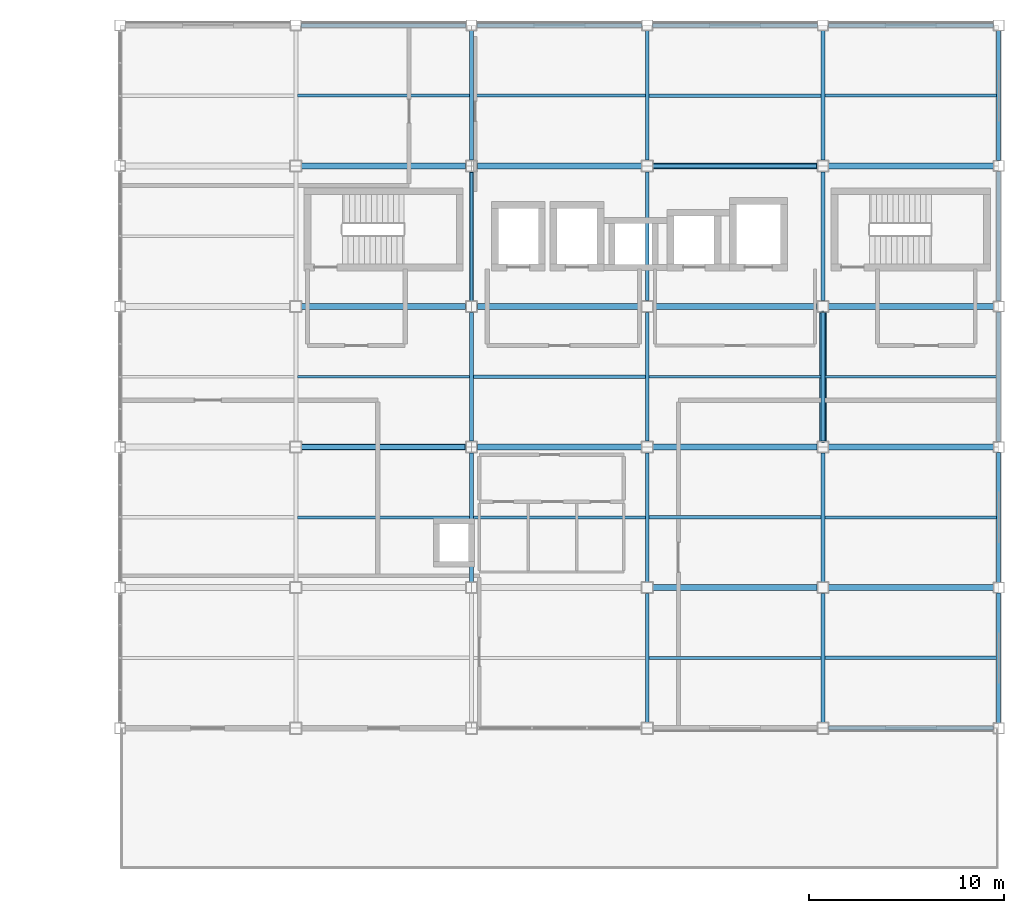
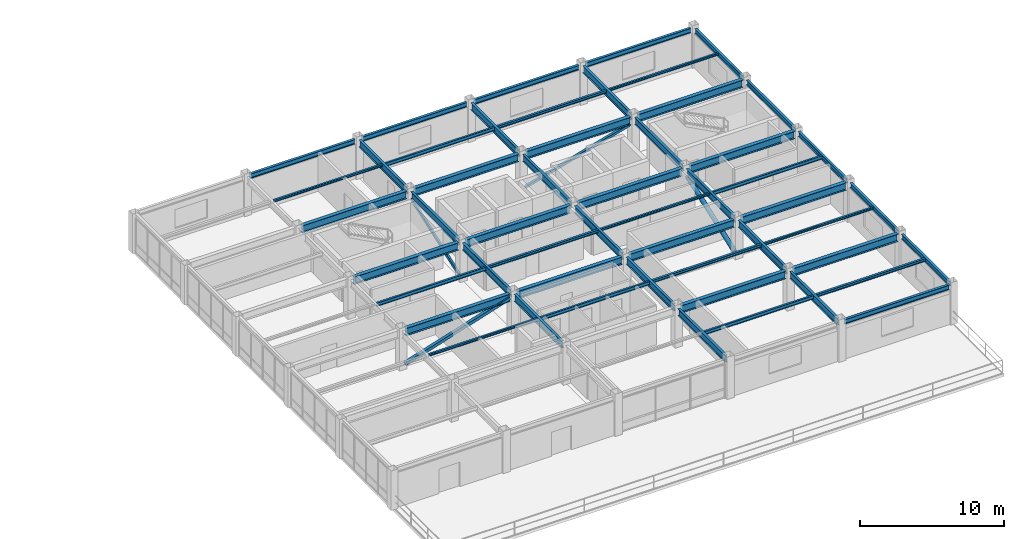
# One storey, part 31 of 43: 52 beams, 4 members.
"""IFC4 building model written with IfcOpenShell, lengths in metres."""

from ifc_helpers import new_model, si_unit, direction, frame, origin, origin_2d, place, context, subcontext, project, spatial, hollow_rectangle, hollow_circle, i_section, extrude, material, material_profile, profile_set, type_object, element, save


model = new_model("IFC4")

# Units and contexts
model_context = context("Model", 3, precision=1e-05, world=origin(), true_north=direction((0.0, 1.0)))
body_context = subcontext(model_context, "Body", "Model", "MODEL_VIEW")
ifc_project = project(units=[si_unit("LENGTHUNIT", "METRE"), si_unit("AREAUNIT", "SQUARE_METRE"), si_unit("VOLUMEUNIT", "CUBIC_METRE"), si_unit("PLANEANGLEUNIT", "RADIAN"), si_unit("MASSUNIT", "GRAM", prefix="KILO")], contexts=[model_context])

# Site, building, storey
site_placement = place(None, origin())
site = spatial("IfcSite", under=ifc_project, at=site_placement, CompositionType="ELEMENT")
building_placement = place(site_placement, origin())
building = spatial("IfcBuilding", under=site, at=building_placement, Name="Kazanami Central Library", CompositionType="ELEMENT")
storey_placement = place(building_placement, frame((0.0, 0.0, 20.60009765625)))
storey = spatial("IfcBuildingStorey", under=building, at=storey_placement, Name="L06", CompositionType="ELEMENT", Elevation=20.60009765625)

# Beams
ifc_material_1 = material(Name="Steel SN400B (235 MPa)", Category="steel")
ifc_material_profile_1 = material_profile(ifc_material_1, i_section(OverallWidth=0.14990234375, OverallDepth=0.300048828125, WebThickness=0.006591796875, FlangeThickness=0.009033203125, at=origin_2d()), Name="H-300x150x6.5x9")
ifc_profile_set_1 = profile_set([ifc_material_profile_1], Name="Steel SN400B (235 MPa)")
beam_type_1 = type_object("IfcBeamType", Name="BM-B-S4", PredefinedType="JOIST", material=ifc_profile_set_1)
for number, where, z_axis, x_axis, name in (
    (1, (126.097900390625, 75.60009765625, 3.169921875), (1.0, 0.0, 0.0), (0.0, 1.0, 0.0), "Composite Secondary Joist B-S4 L06 Bay 15/L.1"),
    (2, (135.097900390625, 68.39990234375, 3.169921875), (1.0, 0.0, 0.0), (0.0, 1.0, 0.0), "Composite Secondary Joist B-S4 L06 Bay 16/K.1"),
    (3, (135.097900390625, 90.0, 3.169921875), (1.0, 0.0, 0.0), (0.0, 1.0, 0.0), "Composite Secondary Joist B-S4 L06 Bay 16/N.1"),
    (4, (144.097900390625, 61.199951171875, 3.169921875), (1.0, 0.0, 0.0), (0.0, 1.0, 0.0), "Composite Secondary Joist B-S4 L06 Bay 17/J.1"),
    (5, (153.097900390625, 75.60009765625, 3.169921875), (1.0, 0.0, 0.0), (0.0, 1.0, 0.0), "Composite Secondary Joist B-S4 L06 Bay 18/L.1"),
):
    element("IfcBeam", number, at=place(storey_placement, frame(where, z_axis=z_axis, x_axis=x_axis)), inside=storey, type_object=beam_type_1, Name=name, PredefinedType="JOIST", context=body_context, shape_type="SweptSolid", body=[
        extrude(i_section(OverallWidth=0.14990234375, OverallDepth=0.300048828125, WebThickness=0.006591796875, FlangeThickness=0.009033203125, at=origin_2d()), origin(), (0.0, 0.0, 1.0), 8.80419921875),
    ])
ifc_material_profile_2 = material_profile(ifc_material_1, i_section(OverallWidth=0.175048828125, OverallDepth=0.243896484375, WebThickness=0.007080078125, FlangeThickness=0.010986328125, at=origin_2d()), Name="H-244x175x7x11")
ifc_profile_set_2 = profile_set([ifc_material_profile_2], Name="Steel SN400B (235 MPa)")
beam_type_2 = type_object("IfcBeamType", Name="BM-B-S6", PredefinedType="JOIST", material=ifc_profile_set_2)
for number, where, z_axis, x_axis, name in (
    (6, (135.097900390625, 75.60009765625, 3.197998046875), (1.0, 0.0, 0.0), (0.0, 1.0, 0.0), "Composite Secondary Joist B-S6 L06 Bay 16/L.1"),
    (7, (144.097900390625, 68.39990234375, 3.197998046875), (1.0, 0.0, 0.0), (0.0, 1.0, 0.0), "Composite Secondary Joist B-S6 L06 Bay 17/K.1"),
    (8, (144.097900390625, 90.0, 3.197998046875), (1.0, 0.0, 0.0), (0.0, 1.0, 0.0), "Composite Secondary Joist B-S6 L06 Bay 17/N.1"),
    (9, (153.097900390625, 61.199951171875, 3.197998046875), (1.0, 0.0, 0.0), (0.0, 1.0, 0.0), "Composite Secondary Joist B-S6 L06 Bay 18/J.1"),
):
    element("IfcBeam", number, at=place(storey_placement, frame(where, z_axis=z_axis, x_axis=x_axis)), inside=storey, type_object=beam_type_2, Name=name, PredefinedType="JOIST", context=body_context, shape_type="SweptSolid", body=[
        extrude(i_section(OverallWidth=0.175048828125, OverallDepth=0.243896484375, WebThickness=0.007080078125, FlangeThickness=0.010986328125, at=origin_2d()), origin(), (0.0, 0.0, 1.0), 8.80419921875),
    ])
ifc_material_profile_3 = material_profile(ifc_material_1, i_section(OverallWidth=0.14990234375, OverallDepth=0.194091796875, WebThickness=0.006103515625, FlangeThickness=0.009033203125, at=origin_2d()), Name="H-194x150x6x9")
ifc_profile_set_3 = profile_set([ifc_material_profile_3], Name="Steel SN400B (235 MPa)")
beam_type_3 = type_object("IfcBeamType", Name="BM-B-S7", PredefinedType="JOIST", material=ifc_profile_set_3)
for number, where, z_axis, x_axis, name in (
    (10, (126.097900390625, 68.39990234375, 3.222900390625), (1.0, 0.0, 0.0), (0.0, 1.0, 0.0), "Composite Secondary Joist B-S7 L06 Bay 15/K.1"),
    (11, (126.097900390625, 90.0, 3.222900390625), (1.0, 0.0, 0.0), (0.0, 1.0, 0.0), "Composite Secondary Joist B-S7 L06 Bay 15/N.1"),
    (12, (144.097900390625, 75.60009765625, 3.222900390625), (1.0, 0.0, 0.0), (0.0, 1.0, 0.0), "Composite Secondary Joist B-S7 L06 Bay 17/L.1"),
    (13, (153.097900390625, 68.39990234375, 3.222900390625), (1.0, 0.0, 0.0), (0.0, 1.0, 0.0), "Composite Secondary Joist B-S7 L06 Bay 18/K.1"),
    (14, (153.097900390625, 90.0, 3.222900390625), (1.0, 0.0, 0.0), (0.0, 1.0, 0.0), "Composite Secondary Joist B-S7 L06 Bay 18/N.1"),
):
    element("IfcBeam", number, at=place(storey_placement, frame(where, z_axis=z_axis, x_axis=x_axis)), inside=storey, type_object=beam_type_3, Name=name, PredefinedType="JOIST", context=body_context, shape_type="SweptSolid", body=[
        extrude(i_section(OverallWidth=0.14990234375, OverallDepth=0.194091796875, WebThickness=0.006103515625, FlangeThickness=0.009033203125, at=origin_2d()), origin(), (0.0, 0.0, 1.0), 8.80419921875),
    ])
ifc_material_2 = material(Name="Steel SN490B (325 MPa)", Category="steel")
ifc_material_profile_4 = material_profile(ifc_material_2, i_section(OverallWidth=0.300048828125, OverallDepth=0.64990234375, WebThickness=0.012939453125, FlangeThickness=0.02099609375, at=origin_2d()), Name="H-650x300x13x21")
ifc_profile_set_4 = profile_set([ifc_material_profile_4], Name="Steel SN490B (325 MPa)")
beam_type_4 = type_object("IfcBeamType", Name="BM-G-TR", PredefinedType="BEAM", material=ifc_profile_set_4)
beam_1_placement = place(storey_placement, frame((144.298095703125, 64.800048828125, 2.994873046875), z_axis=(1.0, 0.0, 0.0), x_axis=(0.0, 1.0, 0.0)))
element("IfcBeam", 15, at=beam_1_placement, inside=storey, type_object=beam_type_4, Name="Girder G-TR L06 K/17-18", PredefinedType="BEAM", context=body_context, shape_type="SweptSolid", body=[
    extrude(i_section(OverallWidth=0.300048828125, OverallDepth=0.64990234375, WebThickness=0.012939453125, FlangeThickness=0.02099609375, at=origin_2d()), origin(), (0.0, 0.0, 1.0), 8.40380859375),
])
beam_2_placement = place(storey_placement, frame((153.298095703125, 64.800048828125, 2.994873046875), z_axis=(1.0, 0.0, 0.0), x_axis=(0.0, 1.0, 0.0)))
element("IfcBeam", 16, at=beam_2_placement, inside=storey, type_object=beam_type_4, Name="Girder G-TR L06 K/18-19", PredefinedType="BEAM", context=body_context, shape_type="SweptSolid", body=[
    extrude(i_section(OverallWidth=0.300048828125, OverallDepth=0.64990234375, WebThickness=0.012939453125, FlangeThickness=0.02099609375, at=origin_2d()), origin(), (0.0, 0.0, 1.0), 8.428955078125),
])
for number, where, z_axis, x_axis, name in (
    (17, (126.298095703125, 72.0, 2.994873046875), (1.0, 0.0, 0.0), (0.0, 1.0, 0.0), "Girder G-TR L06 L/15-16"),
    (18, (135.298095703125, 72.0, 2.994873046875), (1.0, 0.0, 0.0), (0.0, 1.0, 0.0), "Girder G-TR L06 L/16-17"),
    (19, (144.298095703125, 72.0, 2.994873046875), (1.0, 0.0, 0.0), (0.0, 1.0, 0.0), "Girder G-TR L06 L/17-18"),
):
    element("IfcBeam", number, at=place(storey_placement, frame(where, z_axis=z_axis, x_axis=x_axis)), inside=storey, type_object=beam_type_4, Name=name, PredefinedType="BEAM", context=body_context, shape_type="SweptSolid", body=[
        extrude(i_section(OverallWidth=0.300048828125, OverallDepth=0.64990234375, WebThickness=0.012939453125, FlangeThickness=0.02099609375, at=origin_2d()), origin(), (0.0, 0.0, 1.0), 8.40380859375),
    ])
beam_3_placement = place(storey_placement, frame((153.298095703125, 72.0, 2.994873046875), z_axis=(1.0, 0.0, 0.0), x_axis=(0.0, 1.0, 0.0)))
element("IfcBeam", 20, at=beam_3_placement, inside=storey, type_object=beam_type_4, Name="Girder G-TR L06 L/18-19", PredefinedType="BEAM", context=body_context, shape_type="SweptSolid", body=[
    extrude(i_section(OverallWidth=0.300048828125, OverallDepth=0.64990234375, WebThickness=0.012939453125, FlangeThickness=0.02099609375, at=origin_2d()), origin(), (0.0, 0.0, 1.0), 8.428955078125),
])
for number, where, z_axis, x_axis, name in (
    (21, (126.298095703125, 79.199951171875, 2.994873046875), (1.0, 0.0, 0.0), (0.0, 1.0, 0.0), "Girder G-TR L06 M/15-16"),
    (22, (135.298095703125, 79.199951171875, 2.994873046875), (1.0, 0.0, 0.0), (0.0, 1.0, 0.0), "Girder G-TR L06 M/16-17"),
    (23, (144.298095703125, 79.199951171875, 2.994873046875), (1.0, 0.0, 0.0), (0.0, 1.0, 0.0), "Girder G-TR L06 M/17-18"),
):
    element("IfcBeam", number, at=place(storey_placement, frame(where, z_axis=z_axis, x_axis=x_axis)), inside=storey, type_object=beam_type_4, Name=name, PredefinedType="BEAM", context=body_context, shape_type="SweptSolid", body=[
        extrude(i_section(OverallWidth=0.300048828125, OverallDepth=0.64990234375, WebThickness=0.012939453125, FlangeThickness=0.02099609375, at=origin_2d()), origin(), (0.0, 0.0, 1.0), 8.40380859375),
    ])
beam_4_placement = place(storey_placement, frame((153.298095703125, 79.199951171875, 2.994873046875), z_axis=(1.0, 0.0, 0.0), x_axis=(0.0, 1.0, 0.0)))
element("IfcBeam", 24, at=beam_4_placement, inside=storey, type_object=beam_type_4, Name="Girder G-TR L06 M/18-19", PredefinedType="BEAM", context=body_context, shape_type="SweptSolid", body=[
    extrude(i_section(OverallWidth=0.300048828125, OverallDepth=0.64990234375, WebThickness=0.012939453125, FlangeThickness=0.02099609375, at=origin_2d()), origin(), (0.0, 0.0, 1.0), 8.428955078125),
])
for number, where, z_axis, x_axis, name in (
    (25, (126.298095703125, 86.39990234375, 2.994873046875), (1.0, 0.0, 0.0), (0.0, 1.0, 0.0), "Girder G-TR L06 N/15-16"),
    (26, (135.298095703125, 86.39990234375, 2.994873046875), (1.0, 0.0, 0.0), (0.0, 1.0, 0.0), "Girder G-TR L06 N/16-17"),
    (27, (144.298095703125, 86.39990234375, 2.994873046875), (1.0, 0.0, 0.0), (0.0, 1.0, 0.0), "Girder G-TR L06 N/17-18"),
):
    element("IfcBeam", number, at=place(storey_placement, frame(where, z_axis=z_axis, x_axis=x_axis)), inside=storey, type_object=beam_type_4, Name=name, PredefinedType="BEAM", context=body_context, shape_type="SweptSolid", body=[
        extrude(i_section(OverallWidth=0.300048828125, OverallDepth=0.64990234375, WebThickness=0.012939453125, FlangeThickness=0.02099609375, at=origin_2d()), origin(), (0.0, 0.0, 1.0), 8.40380859375),
    ])
beam_5_placement = place(storey_placement, frame((153.298095703125, 86.39990234375, 2.994873046875), z_axis=(1.0, 0.0, 0.0), x_axis=(0.0, 1.0, 0.0)))
element("IfcBeam", 28, at=beam_5_placement, inside=storey, type_object=beam_type_4, Name="Girder G-TR L06 N/18-19", PredefinedType="BEAM", context=body_context, shape_type="SweptSolid", body=[
    extrude(i_section(OverallWidth=0.300048828125, OverallDepth=0.64990234375, WebThickness=0.012939453125, FlangeThickness=0.02099609375, at=origin_2d()), origin(), (0.0, 0.0, 1.0), 8.428955078125),
])
ifc_material_profile_5 = material_profile(ifc_material_2, i_section(OverallWidth=0.199951171875, OverallDepth=0.60009765625, WebThickness=0.010986328125, FlangeThickness=0.01708984375, at=origin_2d()), Name="H-600x200x11x17")
ifc_profile_set_5 = profile_set([ifc_material_profile_5], Name="Steel SN490B (325 MPa)")
beam_type_5 = type_object("IfcBeamType", Name="BM-G-Y1", PredefinedType="BEAM", material=ifc_profile_set_5)
for number, where, z_axis, x_axis, name in (
    (29, (135.0, 65.097900390625, 3.02001953125), (0.0, 1.0, 0.0), (-1.0, 0.0, 0.0), "Girder G-Y1 L06 16/K-L"),
    (30, (135.0, 72.298095703125, 3.02001953125), (0.0, 1.0, 0.0), (-1.0, 0.0, 0.0), "Girder G-Y1 L06 16/L-M"),
    (31, (135.0, 79.498046875, 3.02001953125), (0.0, 1.0, 0.0), (-1.0, 0.0, 0.0), "Girder G-Y1 L06 16/M-N"),
):
    element("IfcBeam", number, at=place(storey_placement, frame(where, z_axis=z_axis, x_axis=x_axis)), inside=storey, type_object=beam_type_5, Name=name, PredefinedType="BEAM", context=body_context, shape_type="SweptSolid", body=[
        extrude(i_section(OverallWidth=0.199951171875, OverallDepth=0.60009765625, WebThickness=0.010986328125, FlangeThickness=0.01708984375, at=origin_2d()), origin(), (0.0, 0.0, 1.0), 6.60400390625),
    ])
beam_6_placement = place(storey_placement, frame((135.0, 86.697998046875, 3.02001953125), z_axis=(0.0, 1.0, 0.0), x_axis=(-1.0, 0.0, 0.0)))
element("IfcBeam", 32, at=beam_6_placement, inside=storey, type_object=beam_type_5, Name="Girder G-Y1 L06 16/N-O", PredefinedType="BEAM", context=body_context, shape_type="SweptSolid", body=[
    extrude(i_section(OverallWidth=0.199951171875, OverallDepth=0.60009765625, WebThickness=0.010986328125, FlangeThickness=0.01708984375, at=origin_2d()), origin(), (0.0, 0.0, 1.0), 6.62890625),
])
for number, where, z_axis, x_axis, name in (
    (33, (144.0, 57.89794921875, 3.02001953125), (0.0, 1.0, 0.0), (-1.0, 0.0, 0.0), "Girder G-Y1 L06 17/J-K"),
    (34, (144.0, 65.097900390625, 3.02001953125), (0.0, 1.0, 0.0), (-1.0, 0.0, 0.0), "Girder G-Y1 L06 17/K-L"),
    (35, (144.0, 72.298095703125, 3.02001953125), (0.0, 1.0, 0.0), (-1.0, 0.0, 0.0), "Girder G-Y1 L06 17/L-M"),
    (36, (144.0, 79.498046875, 3.02001953125), (0.0, 1.0, 0.0), (-1.0, 0.0, 0.0), "Girder G-Y1 L06 17/M-N"),
):
    element("IfcBeam", number, at=place(storey_placement, frame(where, z_axis=z_axis, x_axis=x_axis)), inside=storey, type_object=beam_type_5, Name=name, PredefinedType="BEAM", context=body_context, shape_type="SweptSolid", body=[
        extrude(i_section(OverallWidth=0.199951171875, OverallDepth=0.60009765625, WebThickness=0.010986328125, FlangeThickness=0.01708984375, at=origin_2d()), origin(), (0.0, 0.0, 1.0), 6.60400390625),
    ])
beam_7_placement = place(storey_placement, frame((144.0, 86.697998046875, 3.02001953125), z_axis=(0.0, 1.0, 0.0), x_axis=(-1.0, 0.0, 0.0)))
element("IfcBeam", 37, at=beam_7_placement, inside=storey, type_object=beam_type_5, Name="Girder G-Y1 L06 17/N-O", PredefinedType="BEAM", context=body_context, shape_type="SweptSolid", body=[
    extrude(i_section(OverallWidth=0.199951171875, OverallDepth=0.60009765625, WebThickness=0.010986328125, FlangeThickness=0.01708984375, at=origin_2d()), origin(), (0.0, 0.0, 1.0), 6.62890625),
])
for number, where, z_axis, x_axis, name in (
    (38, (153.0, 57.89794921875, 3.02001953125), (0.0, 1.0, 0.0), (-1.0, 0.0, 0.0), "Girder G-Y1 L06 18/J-K"),
    (39, (153.0, 65.097900390625, 3.02001953125), (0.0, 1.0, 0.0), (-1.0, 0.0, 0.0), "Girder G-Y1 L06 18/K-L"),
    (40, (153.0, 72.298095703125, 3.02001953125), (0.0, 1.0, 0.0), (-1.0, 0.0, 0.0), "Girder G-Y1 L06 18/L-M"),
    (41, (153.0, 79.498046875, 3.02001953125), (0.0, 1.0, 0.0), (-1.0, 0.0, 0.0), "Girder G-Y1 L06 18/M-N"),
):
    element("IfcBeam", number, at=place(storey_placement, frame(where, z_axis=z_axis, x_axis=x_axis)), inside=storey, type_object=beam_type_5, Name=name, PredefinedType="BEAM", context=body_context, shape_type="SweptSolid", body=[
        extrude(i_section(OverallWidth=0.199951171875, OverallDepth=0.60009765625, WebThickness=0.010986328125, FlangeThickness=0.01708984375, at=origin_2d()), origin(), (0.0, 0.0, 1.0), 6.60400390625),
    ])
beam_8_placement = place(storey_placement, frame((153.0, 86.697998046875, 3.02001953125), z_axis=(0.0, 1.0, 0.0), x_axis=(-1.0, 0.0, 0.0)))
element("IfcBeam", 42, at=beam_8_placement, inside=storey, type_object=beam_type_5, Name="Girder G-Y1 L06 18/N-O", PredefinedType="BEAM", context=body_context, shape_type="SweptSolid", body=[
    extrude(i_section(OverallWidth=0.199951171875, OverallDepth=0.60009765625, WebThickness=0.010986328125, FlangeThickness=0.01708984375, at=origin_2d()), origin(), (0.0, 0.0, 1.0), 6.62890625),
])
ifc_material_profile_6 = material_profile(ifc_material_2, i_section(OverallWidth=0.199951171875, OverallDepth=0.39990234375, WebThickness=0.008056640625, FlangeThickness=0.012939453125, at=origin_2d()), Name="H-400x200x8x13")
ifc_profile_set_6 = profile_set([ifc_material_profile_6], Name="Steel SN490B (325 MPa)")
beam_type_6 = type_object("IfcBeamType", Name="BM-SP-3", PredefinedType="SPANDREL", material=ifc_profile_set_6)
beam_9_placement = place(storey_placement, frame((153.298095703125, 57.60009765625, 3.119873046875), z_axis=(1.0, 0.0, 0.0), x_axis=(0.0, 1.0, 0.0)))
element("IfcBeam", 43, at=beam_9_placement, inside=storey, type_object=beam_type_6, Name="Girder SP-3 L06 J/18-19", PredefinedType="SPANDREL", context=body_context, shape_type="SweptSolid", body=[
    extrude(i_section(OverallWidth=0.199951171875, OverallDepth=0.39990234375, WebThickness=0.008056640625, FlangeThickness=0.012939453125, at=origin_2d()), origin(), (0.0, 0.0, 1.0), 8.428955078125),
])
for number, where, z_axis, x_axis, name in (
    (44, (126.27294921875, 93.60009765625, 3.119873046875), (1.0, 0.0, 0.0), (0.0, 1.0, 0.0), "Girder SP-3 L06 O/15-16"),
    (45, (135.27294921875, 93.60009765625, 3.119873046875), (1.0, 0.0, 0.0), (0.0, 1.0, 0.0), "Girder SP-3 L06 O/16-17"),
    (46, (144.27294921875, 93.60009765625, 3.119873046875), (1.0, 0.0, 0.0), (0.0, 1.0, 0.0), "Girder SP-3 L06 O/17-18"),
    (47, (153.27294921875, 93.60009765625, 3.119873046875), (1.0, 0.0, 0.0), (0.0, 1.0, 0.0), "Girder SP-3 L06 O/18-19"),
):
    element("IfcBeam", number, at=place(storey_placement, frame(where, z_axis=z_axis, x_axis=x_axis)), inside=storey, type_object=beam_type_6, Name=name, PredefinedType="SPANDREL", context=body_context, shape_type="SweptSolid", body=[
        extrude(i_section(OverallWidth=0.199951171875, OverallDepth=0.39990234375, WebThickness=0.008056640625, FlangeThickness=0.012939453125, at=origin_2d()), origin(), (0.0, 0.0, 1.0), 8.4541015625),
    ])
for number, where, z_axis, x_axis, name in (
    (48, (162.0, 57.873046875, 3.119873046875), (0.0, 1.0, 0.0), (-1.0, 0.0, 0.0), "Girder SP-3 L06 19/J-K"),
    (49, (162.0, 65.072998046875, 3.119873046875), (0.0, 1.0, 0.0), (-1.0, 0.0, 0.0), "Girder SP-3 L06 19/K-L"),
    (50, (162.0, 72.27294921875, 3.119873046875), (0.0, 1.0, 0.0), (-1.0, 0.0, 0.0), "Girder SP-3 L06 19/L-M"),
    (51, (162.0, 79.472900390625, 3.119873046875), (0.0, 1.0, 0.0), (-1.0, 0.0, 0.0), "Girder SP-3 L06 19/M-N"),
):
    element("IfcBeam", number, at=place(storey_placement, frame(where, z_axis=z_axis, x_axis=x_axis)), inside=storey, type_object=beam_type_6, Name=name, PredefinedType="SPANDREL", context=body_context, shape_type="SweptSolid", body=[
        extrude(i_section(OverallWidth=0.199951171875, OverallDepth=0.39990234375, WebThickness=0.008056640625, FlangeThickness=0.012939453125, at=origin_2d()), origin(), (0.0, 0.0, 1.0), 6.654052734375),
    ])
beam_10_placement = place(storey_placement, frame((162.0, 86.673095703125, 3.119873046875), z_axis=(0.0, 1.0, 0.0), x_axis=(-1.0, 0.0, 0.0)))
element("IfcBeam", 52, at=beam_10_placement, inside=storey, type_object=beam_type_6, Name="Girder SP-3 L06 19/N-O", PredefinedType="SPANDREL", context=body_context, shape_type="SweptSolid", body=[
    extrude(i_section(OverallWidth=0.199951171875, OverallDepth=0.39990234375, WebThickness=0.008056640625, FlangeThickness=0.012939453125, at=origin_2d()), origin(), (0.0, 0.0, 1.0), 6.65380859375),
])

# Members
ifc_material_3 = material(Name="Steel STK490 (315 MPa)", Category="steel")
ifc_material_profile_7 = material_profile(ifc_material_3, hollow_circle(Radius=0.177734375, WallThickness=0.0126953125, at=origin_2d()), Name="CHS-355.6x12.7")
ifc_profile_set_7 = profile_set([ifc_material_profile_7], Name="Steel STK490 (315 MPa)")
member_type_1 = type_object("IfcMemberType", Name="MEM-BR-01", PredefinedType="BRACE", material=ifc_profile_set_7)
member_1_placement = place(storey_placement, frame((153.0, 72.300048828125, 0.25), z_axis=(0.0, 0.940252603877, 0.340477665792), x_axis=(-1.0, 0.0, 0.0)))
element("IfcMember", 53, at=member_1_placement, inside=storey, type_object=member_type_1, Name="Concentric Steel Brace BR-01 L06 BF-V2D", PredefinedType="BRACE", context=body_context, shape_type="SweptSolid", body=[
    extrude(hollow_circle(Radius=0.177734375, WallThickness=0.0126953125, at=origin_2d()), origin(), (0.0, 0.0, 1.0), 7.019287109375),
])
ifc_material_profile_8 = material_profile(ifc_material_3, hollow_rectangle(XDim=0.25, YDim=0.25, WallThickness=0.011962890625, at=origin_2d()), Name="STKR-250x250x12")
ifc_profile_set_8 = profile_set([ifc_material_profile_8], Name="Steel STK490 (315 MPa)")
member_type_2 = type_object("IfcMemberType", Name="MEM-BR-07", PredefinedType="BRACE", material=ifc_profile_set_8)
member_2_placement = place(storey_placement, frame((126.300048828125, 72.0, 0.25), z_axis=(0.953016681797, 0.0, 0.302917817594), x_axis=(0.0, 1.0, 0.0)))
element("IfcMember", 54, at=member_2_placement, inside=storey, type_object=member_type_2, Name="Concentric Steel Brace BR-07 L06 BF-V2A", PredefinedType="BRACE", context=body_context, shape_type="SweptSolid", body=[
    extrude(hollow_rectangle(XDim=0.25, YDim=0.25, WallThickness=0.011962890625, at=origin_2d()), origin(), (0.0, 0.0, 1.0), 8.81396484375),
])
ifc_material_profile_9 = material_profile(ifc_material_3, hollow_rectangle(XDim=0.199951171875, YDim=0.199951171875, WallThickness=0.009033203125, at=origin_2d()), Name="STKR-200x200x9")
ifc_profile_set_9 = profile_set([ifc_material_profile_9], Name="Steel STK490 (315 MPa)")
member_type_3 = type_object("IfcMemberType", Name="MEM-BR-08", PredefinedType="BRACE", material=ifc_profile_set_9)
member_3_placement = place(storey_placement, frame((144.300048828125, 86.39990234375, 0.25), z_axis=(0.961828225995, 0.0, 0.273653912232), x_axis=(0.0, 1.0, 0.0)))
element("IfcMember", 55, at=member_3_placement, inside=storey, type_object=member_type_3, Name="Concentric Steel Brace BR-08 L06 BF-V2B", PredefinedType="BRACE", context=body_context, shape_type="SweptSolid", body=[
    extrude(hollow_rectangle(XDim=0.199951171875, YDim=0.199951171875, WallThickness=0.009033203125, at=origin_2d()), origin(), (0.0, 0.0, 1.0), 8.733154296875),
])
ifc_material_profile_10 = material_profile(ifc_material_3, hollow_rectangle(XDim=0.14990234375, YDim=0.25, WallThickness=0.009033203125, at=origin_2d()), Name="STKR-250x150x9")
ifc_profile_set_10 = profile_set([ifc_material_profile_10], Name="Steel STK490 (315 MPa)")
member_type_4 = type_object("IfcMemberType", Name="MEM-BR-09", PredefinedType="BRACE", material=ifc_profile_set_10)
member_4_placement = place(storey_placement, frame((135.0, 79.5, 0.25), z_axis=(0.0, 0.940256635744, 0.340466531305), x_axis=(-1.0, 0.0, 0.0)))
element("IfcMember", 56, at=member_4_placement, inside=storey, type_object=member_type_4, Name="Concentric Steel Brace BR-09 L06 BF-V2C", PredefinedType="BRACE", context=body_context, shape_type="SweptSolid", body=[
    extrude(hollow_rectangle(XDim=0.14990234375, YDim=0.25, WallThickness=0.009033203125, at=origin_2d()), origin(), (0.0, 0.0, 1.0), 7.01953125),
])

save(model, "model.ifc")
